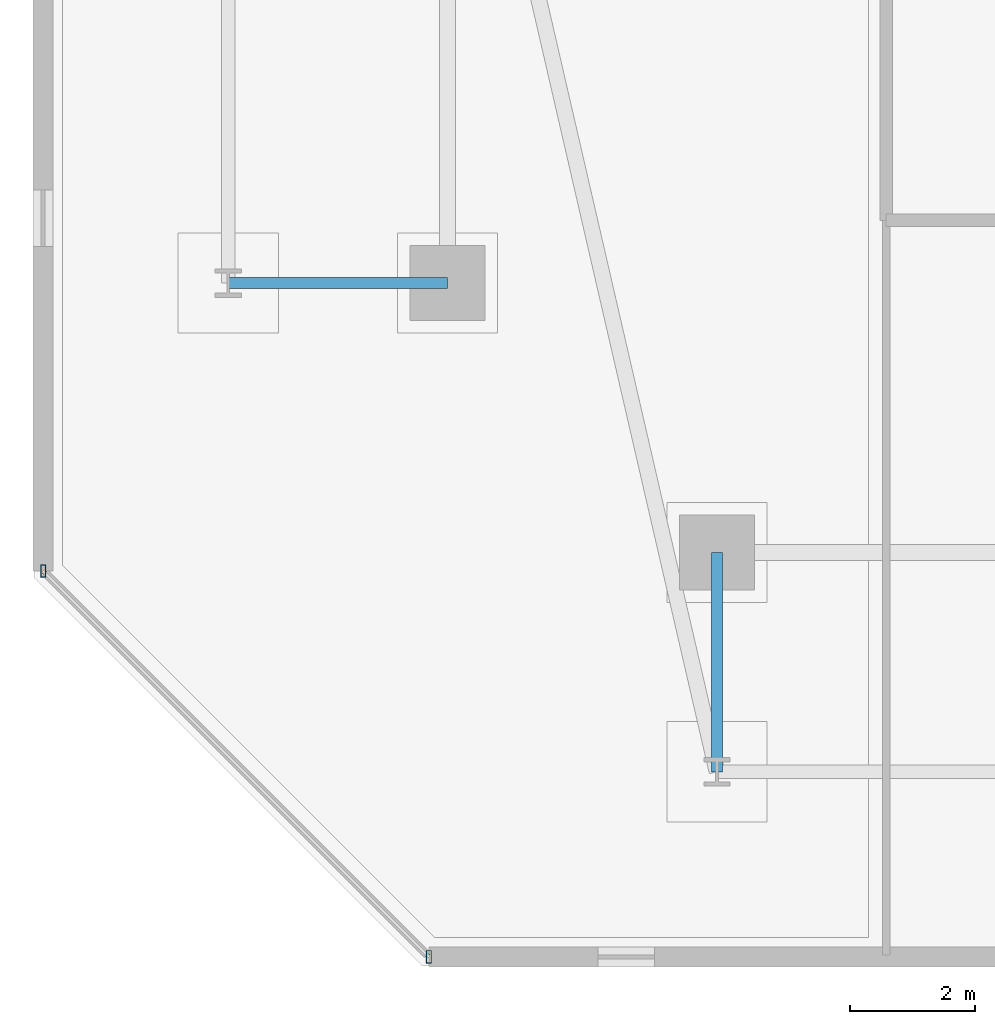
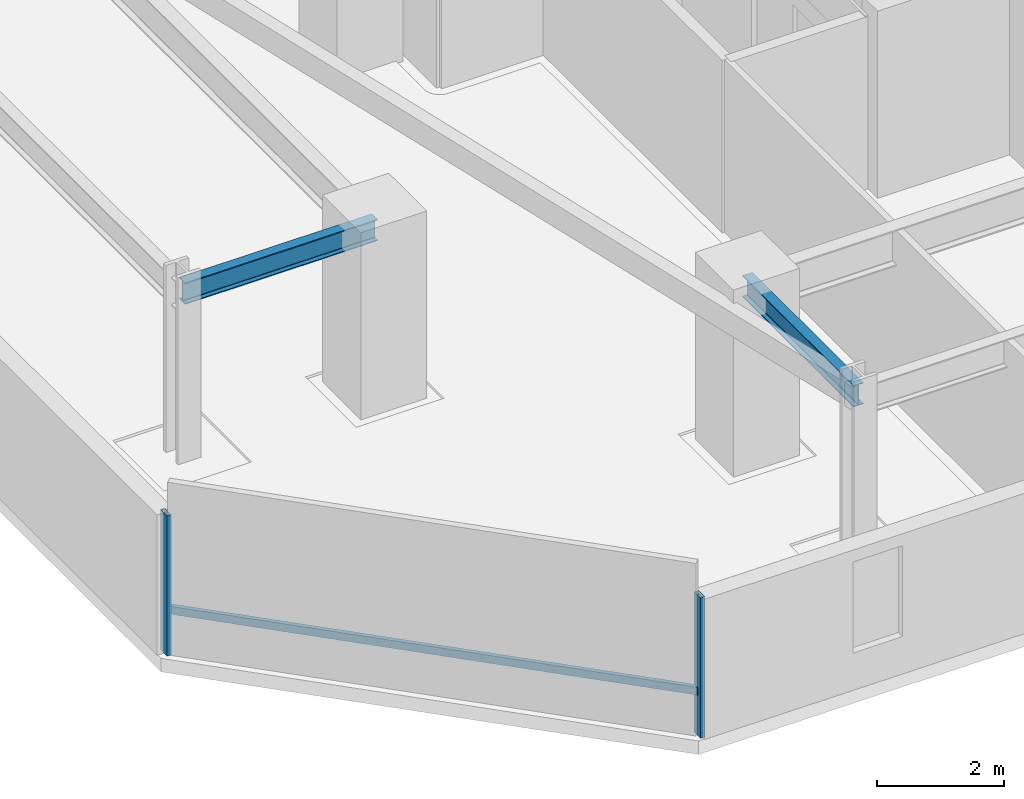
# One storey, part 3 of 31: 3 members, 2 beams, 1 element without a shape of its own.
"""IFC4 building model written with IfcOpenShell, lengths in metres."""

from ifc_helpers import new_model, si_unit, direction, frame, origin, origin_2d, place, context, subcontext, project, spatial, hollow_rectangle, i_section, extrude, material, material_profile, profile_set, type_object, element, aggregate, save


model = new_model("IFC4")

# Units and contexts
model_context = context("Model", 3, precision=1e-05, world=origin(), true_north=direction((0.0, 1.0)))
body_context = subcontext(model_context, "Body", "Model", "MODEL_VIEW")
ifc_project = project(units=[si_unit("LENGTHUNIT", "METRE"), si_unit("AREAUNIT", "SQUARE_METRE"), si_unit("VOLUMEUNIT", "CUBIC_METRE"), si_unit("PLANEANGLEUNIT", "RADIAN"), si_unit("MASSUNIT", "GRAM", prefix="KILO")], contexts=[model_context])

# Site, building, storey
site_placement = place(None, origin())
site = spatial("IfcSite", under=ifc_project, at=site_placement, CompositionType="ELEMENT")
building_placement = place(site_placement, origin())
building = spatial("IfcBuilding", under=site, at=building_placement, Name="Thornwick Lancets Civic Towers", CompositionType="ELEMENT")
storey_placement = place(building_placement, frame((0.0, 0.0, 119.699951171875)))
storey = spatial("IfcBuildingStorey", under=building, at=storey_placement, Name="L31", CompositionType="ELEMENT", Elevation=119.699951171875)

# Beams
ifc_material_1 = material(Name="Steel S355JR", Category="steel")
ifc_material_profile_1 = material_profile(ifc_material_1, i_section(OverallWidth=0.179443359375, OverallDepth=0.412841796875, WebThickness=0.009521484375, FlangeThickness=0.01611328125, FilletRadius=0.01025390625, at=origin_2d()), Name="UKB 406x178x74")
ifc_profile_set_1 = profile_set([ifc_material_profile_1], Name="Steel S355JR")
beam_type = type_object("IfcBeamType", Name="BM_JOIST_406_74", PredefinedType="JOIST", material=ifc_profile_set_1)
for number, where, z_axis, x_axis, name in (
    (1, (12.5, 9.699951171875, 3.133544921875), (0.0, -1.0, 0.0), (1.0, 0.0, 0.0), "BM-RAD-L31-A01"),
    (2, (8.199951171875, 14.0, 3.133544921875), (-1.0, 0.0, 0.0), (0.0, -1.0, 0.0), "BM-RAD-L31-A10"),
):
    element("IfcBeam", number, at=place(storey_placement, frame(where, z_axis=z_axis, x_axis=x_axis)), inside=storey, type_object=beam_type, Name=name, PredefinedType="JOIST", context=body_context, shape_type="SweptSolid", body=[
        extrude(i_section(OverallWidth=0.179443359375, OverallDepth=0.412841796875, WebThickness=0.009521484375, FlangeThickness=0.01611328125, FilletRadius=0.01025390625, at=origin_2d()), origin(), (0.0, 0.0, 1.0), 3.5),
    ])

# Curtain wall, members
ifc_material_2 = material(Name="Mid-zone chamfered-corner unitised glass curtain wall", Category="glass")
curtain_wall_type = type_object("IfcCurtainWallType", Name="CW_SYS_04", PredefinedType="NOTDEFINED", material=ifc_material_2)
curtain_wall_placement = place(storey_placement, origin())
curtain_wall = element("IfcCurtainWall", 3, at=curtain_wall_placement, inside=storey, type_object=curtain_wall_type, Name="L31 Curtain Wall CW-L31-A-E7", PredefinedType="NOTDEFINED")
ifc_material_3 = material(Name="Thermally broken bronze aluminium S355", Category="steel")
ifc_material_profile_2 = material_profile(ifc_material_3, hollow_rectangle(XDim=0.080078125, YDim=0.199951171875, WallThickness=0.006103515625, at=origin_2d()), Name="RHS 200x80x6")
ifc_profile_set_2 = profile_set([ifc_material_profile_2], Name="Thermally broken bronze aluminium S355")
member_type_1 = type_object("IfcMemberType", Name="CW_MUL_200", PredefinedType="MULLION", material=ifc_profile_set_2)
member_1_placement = place(storey_placement, frame((1.747314453125, 9.403564453125, 0.0), z_axis=(0.0, 0.0, 1.0), x_axis=(1.0, 0.0, 0.0)))
member_1 = element("IfcMember", 4, at=member_1_placement, type_object=member_type_1, Name="CW-L31-A-E7 Mullion 0", PredefinedType="MULLION", context=body_context, shape_type="SweptSolid", body=[
    extrude(hollow_rectangle(XDim=0.080078125, YDim=0.199951171875, WallThickness=0.006103515625, at=origin_2d()), origin(), (0.0, 0.0, 1.0), 2.699951171875),
])
member_2_placement = place(storey_placement, frame((7.903564453125, 3.247314453125, 0.0), z_axis=(0.0, 0.0, 1.0), x_axis=(1.0, 0.0, 0.0)))
member_2 = element("IfcMember", 5, at=member_2_placement, type_object=member_type_1, Name="CW-L31-A-E7 Mullion 1", PredefinedType="MULLION", context=body_context, shape_type="SweptSolid", body=[
    extrude(hollow_rectangle(XDim=0.080078125, YDim=0.199951171875, WallThickness=0.006103515625, at=origin_2d()), origin(), (0.0, 0.0, 1.0), 2.699951171875),
])
ifc_material_profile_3 = material_profile(ifc_material_3, hollow_rectangle(XDim=0.074951171875, YDim=0.14990234375, WallThickness=0.0048828125, at=origin_2d()), Name="RHS 150x75x5")
ifc_profile_set_3 = profile_set([ifc_material_profile_3], Name="Thermally broken bronze aluminium S355")
member_type_2 = type_object("IfcMemberType", Name="CW_TRN_150", PredefinedType="USERDEFINED", material=ifc_profile_set_3)
member_3_placement = place(storey_placement, frame((1.76123046875, 9.389404296875, 0.85009765625), z_axis=(0.707106781187, -0.707106781187, 0.0), x_axis=(0.707106781187, 0.707106781187, 0.0)))
member_3 = element("IfcMember", 6, at=member_3_placement, type_object=member_type_2, Name="CW-L31-A-E7 Transom 0", ObjectType="TRANSOM", PredefinedType="USERDEFINED", context=body_context, shape_type="SweptSolid", body=[
    extrude(hollow_rectangle(XDim=0.074951171875, YDim=0.14990234375, WallThickness=0.0048828125, at=origin_2d()), origin(), (0.0, 0.0, 1.0), 8.66650390625),
])
aggregate(curtain_wall, [member_1, member_2, member_3])

save(model, "model.ifc")
